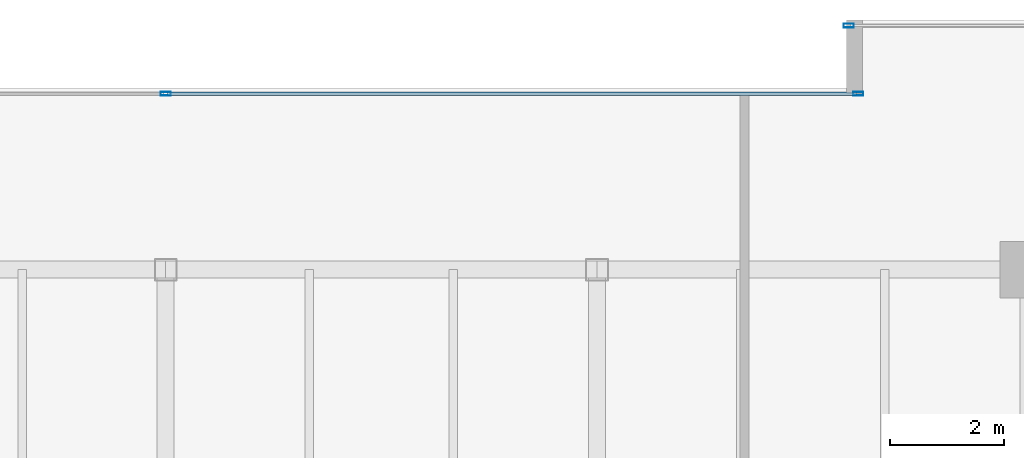
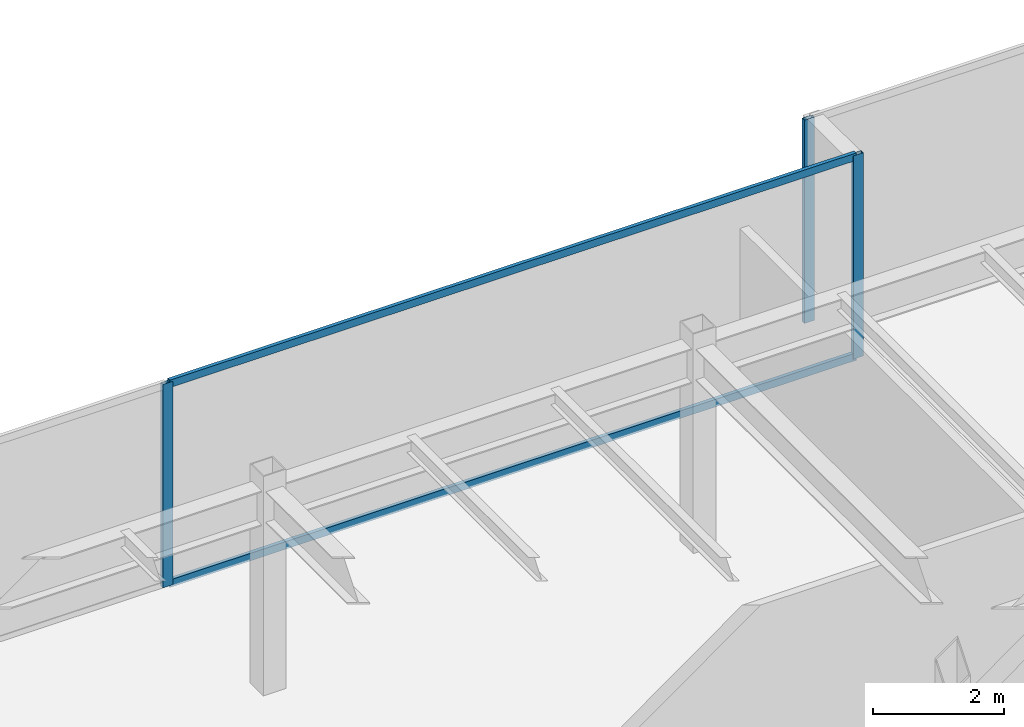
# One storey, part 19 of 33: 5 members, 2 elements without a shape of their own.
"""IFC4 building model written with IfcOpenShell, lengths in metres."""

from ifc_helpers import new_model, si_unit, direction, frame, origin, origin_2d, place, context, subcontext, project, spatial, hollow_rectangle, extrude, source, transform, mapped, material, layer, layer_set, material_profile, profile_set, type_object, type_shapes, element, aggregate, save


model = new_model("IFC4")

# Units and contexts
model_context = context("Model", 3, precision=1e-05, world=origin(), true_north=direction((0.0, 1.0)))
body_context = subcontext(model_context, "Body", "Model", "MODEL_VIEW")
ifc_project = project(units=[si_unit("LENGTHUNIT", "METRE"), si_unit("AREAUNIT", "SQUARE_METRE"), si_unit("VOLUMEUNIT", "CUBIC_METRE"), si_unit("PLANEANGLEUNIT", "RADIAN"), si_unit("MASSUNIT", "GRAM", prefix="KILO")], contexts=[model_context])

# Site, building, storey
site_placement = place(None, origin())
site = spatial("IfcSite", under=ifc_project, at=site_placement, CompositionType="ELEMENT")
building_placement = place(site_placement, origin())
building = spatial("IfcBuilding", under=site, at=building_placement, Name="Haelvirn Gate Laboratories", CompositionType="ELEMENT")
storey_placement = place(building_placement, frame((0.0, 0.0, 209.60009765625)))
storey = spatial("IfcBuildingStorey", under=building, at=storey_placement, Name="L50", CompositionType="ELEMENT", Elevation=209.60009765625)

# Curtain wall, members
ifc_material_1 = material(Name="Anodised bronze unitised aluminium & triple low-E glass", Category="aluminium")
ifc_layer = layer(ifc_material_1, 0.176025390625, Name="CW-SYS-4")
ifc_layer_set = layer_set([ifc_layer], Name="Anodised bronze unitised aluminium & triple low-E glass")
curtain_wall_type = type_object("IfcCurtainWallType", Name="CW-SYS-4", PredefinedType="NOTDEFINED", material=ifc_layer_set)
curtain_wall_1_placement = place(storey_placement, origin())
curtain_wall_1 = element("IfcCurtainWall", 1, at=curtain_wall_1_placement, inside=storey, type_object=curtain_wall_type, Name="L50 Unitised Curtain Wall CW-L50-P0-E12-1", PredefinedType="NOTDEFINED")
ifc_material_2 = material(Name="Extruded aluminium 6063-T6 (anodised bronze)", Category="aluminium")
ifc_material_profile_1 = material_profile(ifc_material_2, hollow_rectangle(XDim=0.06494140625, YDim=0.139892578125, WallThickness=0.00390625, at=origin_2d()), Name="CWT-140x65x4")
ifc_profile_set_1 = profile_set([ifc_material_profile_1], Name="Extruded aluminium 6063-T6 (anodised bronze)")
member_type_1 = type_object("IfcMemberType", Name="CWT-T140", PredefinedType="USERDEFINED", material=ifc_profile_set_1)
shared_shape_1 = source(origin(), body_context, "Body", "SweptSolid", [
    extrude(hollow_rectangle(XDim=0.06494140625, YDim=0.139892578125, WallThickness=0.00390625, at=origin_2d()), origin(), (0.0, 0.0, 1.0), 12.135009765625),
])
type_shapes(member_type_1, [shared_shape_1])
member_1_placement = place(storey_placement, frame((37.43505859375, 44.699951171875, 0.032470703125), z_axis=(1.0, 0.0, 0.0), x_axis=(0.0, 1.0, 0.0)))
member_1 = element("IfcMember", 2, at=member_1_placement, type_object=member_type_1, Name="CW4 transom 2.1", ObjectType="TRANSOM", PredefinedType="USERDEFINED", context=body_context, shape_type="MappedRepresentation", body=[
    mapped(shared_shape_1, transform((0.0, 0.0, 0.0), scale=1.0)),
])
member_2_placement = place(storey_placement, frame((37.43505859375, 44.699951171875, 3.767333984375), z_axis=(1.0, 0.0, 0.0), x_axis=(0.0, 1.0, 0.0)))
member_2 = element("IfcMember", 3, at=member_2_placement, type_object=member_type_1, Name="CW4 transom 2.2", ObjectType="TRANSOM", PredefinedType="USERDEFINED", context=body_context, shape_type="MappedRepresentation", body=[
    mapped(shared_shape_1, transform((0.0, 0.0, 0.0), scale=1.0)),
])

# Curtain wall, member
curtain_wall_2_placement = place(storey_placement, origin())
curtain_wall_2 = element("IfcCurtainWall", 4, at=curtain_wall_2_placement, inside=storey, type_object=curtain_wall_type, Name="L50 Unitised Curtain Wall CW-L50-P0-E10-1", PredefinedType="NOTDEFINED")
ifc_material_profile_2 = material_profile(ifc_material_2, hollow_rectangle(XDim=0.070068359375, YDim=0.179931640625, WallThickness=0.0048828125, at=origin_2d()), Name="CWM-180x70x5")
ifc_profile_set_2 = profile_set([ifc_material_profile_2], Name="Extruded aluminium 6063-T6 (anodised bronze)")
member_type_2 = type_object("IfcMemberType", Name="CWM-T180", PredefinedType="MULLION", material=ifc_profile_set_2)
shared_shape_2 = source(origin(), body_context, "Body", "SweptSolid", [
    extrude(hollow_rectangle(XDim=0.070068359375, YDim=0.179931640625, WallThickness=0.0048828125, at=origin_2d()), origin(), (0.0, 0.0, 1.0), 3.7998046875),
])
type_shapes(member_type_2, [shared_shape_2])
member_3_placement = place(storey_placement, frame((49.43505859375, 45.89990234375, 0.0), z_axis=(0.0, 0.0, 1.0), x_axis=(0.0, 1.0, 0.0)))
member_3 = element("IfcMember", 5, at=member_3_placement, type_object=member_type_2, Name="CW4 mullion 1", PredefinedType="MULLION", context=body_context, shape_type="MappedRepresentation", body=[
    mapped(shared_shape_2, transform((0.0, 0.0, 0.0), scale=1.0)),
])
aggregate(curtain_wall_2, [member_3])

# Member
member_4_placement = place(storey_placement, frame((37.39990234375, 44.699951171875, 0.0), z_axis=(0.0, 0.0, 1.0), x_axis=(0.0, 1.0, 0.0)))
member_4 = element("IfcMember", 6, at=member_4_placement, type_object=member_type_2, Name="CW4 mullion 2", PredefinedType="MULLION", context=body_context, shape_type="MappedRepresentation", body=[
    mapped(shared_shape_2, transform((0.0, 0.0, 0.0), scale=1.0)),
])

member_5_placement = place(storey_placement, frame((49.60498046875, 44.699951171875, 0.0), z_axis=(0.0, 0.0, 1.0), x_axis=(0.0, 1.0, 0.0)))
member_5 = element("IfcMember", 7, at=member_5_placement, type_object=member_type_2, Name="CW4 mullion 3", PredefinedType="MULLION", context=body_context, shape_type="MappedRepresentation", body=[
    mapped(shared_shape_2, transform((0.0, 0.0, 0.0), scale=1.0)),
])

aggregate(curtain_wall_1, [member_4, member_5, member_1, member_2])

save(model, "model.ifc")
